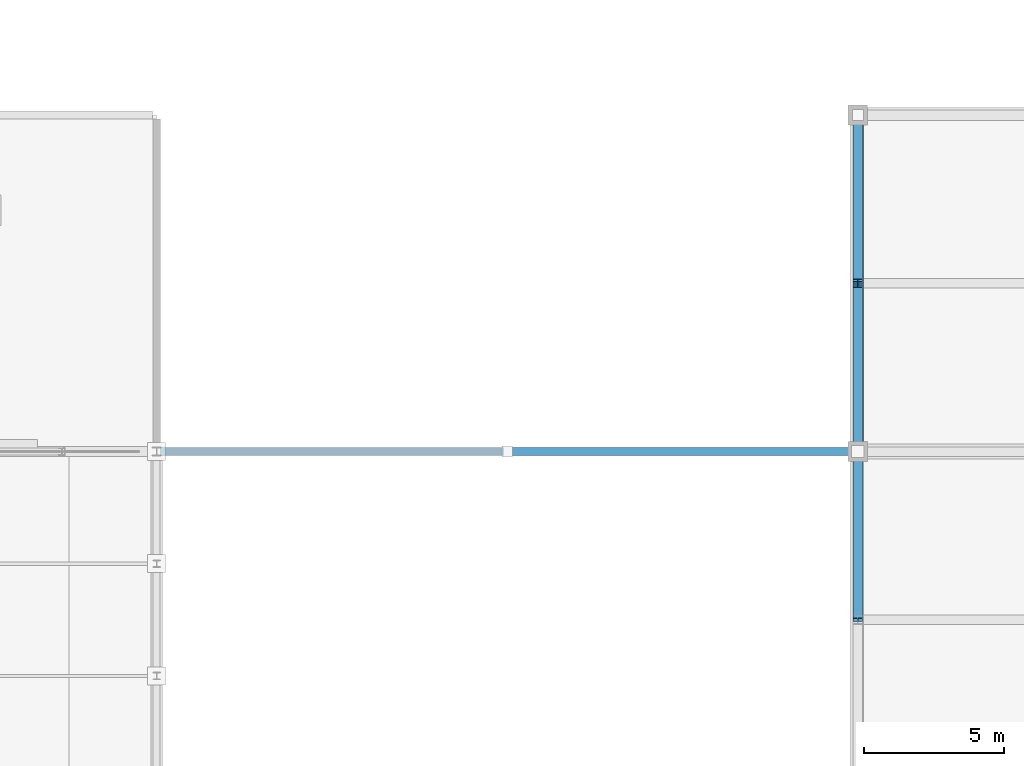
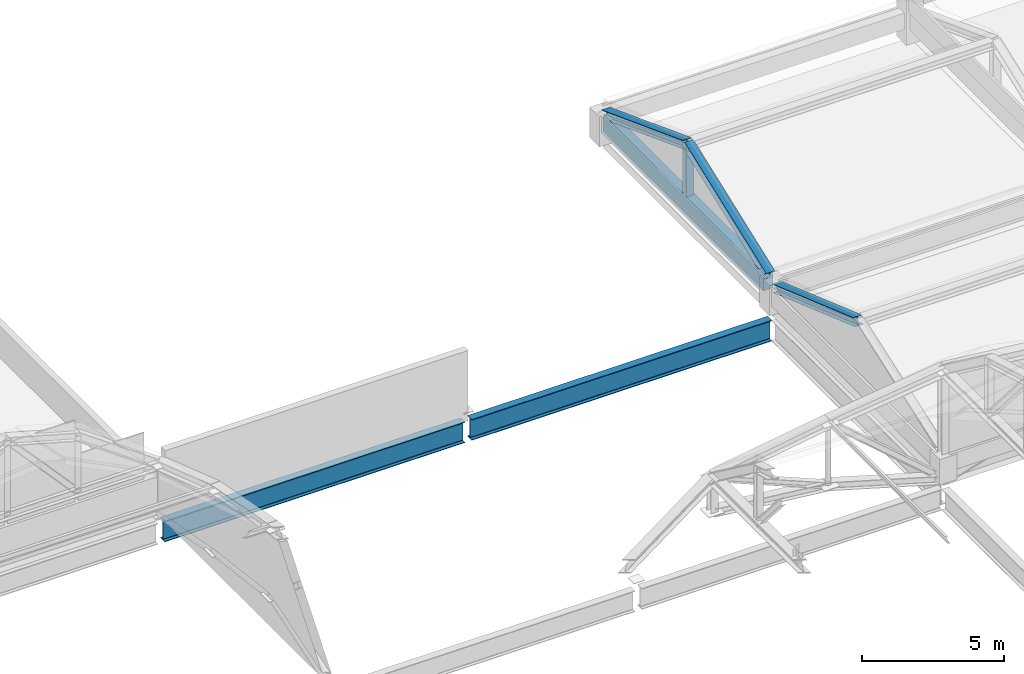
# One storey, part 86 of 117: 4 members, 3 beams.
"""IFC4 building model written with IfcOpenShell, lengths in metres."""

import ifcopenshell
import ifcopenshell.guid

model = None  # the IFC model being written
_history = None  # IfcOwnerHistory: only IFC2X3 demands one
_inside = {}  # id of a spatial element -> (the spatial element, [elements in it])
_under = {}  # id of a project, library or spatial element -> (it, [spatial elements below it])
_declared = {}  # id of a project -> (the project, [libraries it declares])
_typed = {}  # id of a type object -> (the type object, [elements of that type])
_made_of = {}  # id of a material, layer set ... -> (it, [elements and type objects made of it])


def new_model(schema):
    """Start an empty IFC model of exactly this schema.

    Asked for "IFC4X3", IfcOpenShell would pick the latest addendum, in which some entities
    have other attributes; the version numbers below select the first issue.
    IFC2X3 requires an IfcOwnerHistory on every rooted entity: one is made here for all.
    """
    global model, _history
    if schema == "IFC4X3":
        model = ifcopenshell.file(schema_version=(4, 3, 0, 0))
    else:
        model = ifcopenshell.file(schema=schema)
    _inside.clear()
    _under.clear()
    _declared.clear()
    _typed.clear()
    _made_of.clear()
    _history = None
    if model.schema == "IFC2X3":
        org = make("IfcOrganization", Name="unknown")
        user = make(
            "IfcPersonAndOrganization",
            ThePerson=make("IfcPerson", FamilyName="unknown"),
            TheOrganization=org,
        )
        app = make(
            "IfcApplication",
            ApplicationDeveloper=org,
            Version="unknown",
            ApplicationFullName="unknown",
            ApplicationIdentifier="unknown",
        )
        _history = make(
            "IfcOwnerHistory",
            OwningUser=user,
            OwningApplication=app,
            ChangeAction="ADDED",
            CreationDate=0,
        )
    return model


def make(cls, **values):
    """One entity of the class cls with the attributes given. An attribute that is None is left unset."""
    return model.create_entity(
        cls, **{name: value for name, value in values.items() if value is not None}
    )


def rooted(cls, **values):
    """An entity with a GlobalId (a new one), such as an element, a storey or a relation."""
    return make(cls, GlobalId=ifcopenshell.guid.new(), OwnerHistory=_history, **values)


def si_unit(unit_type, name, prefix=None):
    """IfcSIUnit, for example si_unit("LENGTHUNIT", "METRE", prefix="MILLI")."""
    return make("IfcSIUnit", UnitType=unit_type, Prefix=prefix, Name=name)


def assignment(units):
    """IfcUnitAssignment: the units of a project."""
    return None if units is None else make("IfcUnitAssignment", Units=units)


def point(xyz):
    """IfcCartesianPoint."""
    return None if xyz is None else make("IfcCartesianPoint", Coordinates=xyz)


def direction(xyz):
    """IfcDirection."""
    return None if xyz is None else make("IfcDirection", DirectionRatios=xyz)


def frame(location, z_axis=None, x_axis=None):
    """IfcAxis2Placement3D, a coordinate frame: its origin and axes. An axis left out is left unset."""
    return make(
        "IfcAxis2Placement3D",
        Location=point(location),
        Axis=direction(z_axis),
        RefDirection=direction(x_axis),
    )


def frame_2d(location, x_axis=None):
    """IfcAxis2Placement2D, a coordinate frame in the plane: its origin and x axis."""
    return make(
        "IfcAxis2Placement2D", Location=point(location), RefDirection=direction(x_axis)
    )


def origin():
    """The frame at (0, 0, 0) with its axes left unset."""
    return frame((0.0, 0.0, 0.0))


def origin_2d():
    """The frame at (0, 0) in the plane with its x axis left unset."""
    return frame_2d((0.0, 0.0))


def place(relative_to, where):
    """IfcLocalPlacement: puts the frame where relative to a parent placement (None: the world)."""
    return make(
        "IfcLocalPlacement", PlacementRelTo=relative_to, RelativePlacement=where
    )


def context(
    kind, dimensions, precision=None, world=None, true_north=None, identifier=None
):
    """IfcGeometricRepresentationContext, for example the 3D "Model" context."""
    return make(
        "IfcGeometricRepresentationContext",
        ContextIdentifier=identifier,
        ContextType=kind,
        CoordinateSpaceDimension=dimensions,
        Precision=precision,
        WorldCoordinateSystem=world,
        TrueNorth=true_north,
    )


def subcontext(parent, identifier, kind, view, scale=None):
    """IfcGeometricRepresentationSubContext, for example "Body" below "Model"."""
    return make(
        "IfcGeometricRepresentationSubContext",
        ContextIdentifier=identifier,
        ContextType=kind,
        ParentContext=parent,
        TargetScale=scale,
        TargetView=view,
    )


def project(units=None, contexts=None):
    """IfcProject with its units and contexts."""
    return rooted(
        "IfcProject",
        Name="project",
        RepresentationContexts=contexts,
        UnitsInContext=assignment(units),
    )


def spatial(cls, under=None, at=None, **own):
    """A site, building, storey or space (cls), placed at a placement, below another one or the project."""
    s = rooted(cls, ObjectPlacement=at, **own)
    if under is not None:
        _under.setdefault(under.id(), (under, []))[1].append(s)
    return s


def profile(cls, at=None, kind="AREA", **sizes):
    """A parametric profile (cls). Its sizes go by their IFC names, for example OverallWidth=200.0."""
    return make(cls, ProfileType=kind, Position=at, **sizes)


def rectangle(**sizes):
    """IfcRectangleProfileDef."""
    return profile("IfcRectangleProfileDef", **sizes)


def i_section(**sizes):
    """IfcIShapeProfileDef."""
    return profile("IfcIShapeProfileDef", **sizes)


def extrude(swept, where, along, depth):
    """IfcExtrudedAreaSolid: the profile swept, set in the frame where, extruded along a direction by depth."""
    return make(
        "IfcExtrudedAreaSolid",
        SweptArea=swept,
        Position=where,
        ExtrudedDirection=direction(along),
        Depth=depth,
    )


def shape(context_of_items, identifier, shape_type, items):
    """IfcShapeRepresentation: the items that make up one representation, for example the "Body"."""
    return make(
        "IfcShapeRepresentation",
        ContextOfItems=context_of_items,
        RepresentationIdentifier=identifier,
        RepresentationType=shape_type,
        Items=items,
    )


def material(Name=None, Category=None):
    """IfcMaterial."""
    return make("IfcMaterial", Name=Name, Category=Category)


def material_profile(
    of_material, cross_section, Name=None, Category=None, Priority=None
):
    """IfcMaterialProfile: a cross section and its material."""
    return make(
        "IfcMaterialProfile",
        Name=Name,
        Material=of_material,
        Profile=cross_section,
        Priority=Priority,
        Category=Category,
    )


def profile_set(profiles, Name=None, composite=None):
    """IfcMaterialProfileSet."""
    return make(
        "IfcMaterialProfileSet",
        Name=Name,
        MaterialProfiles=profiles,
        CompositeProfile=composite,
    )


def made_of(thing, what):
    """Note that an element or type object is made of a material, layer set ...; save() writes the relation."""
    if what is not None:
        _made_of.setdefault(what.id(), (what, []))[1].append(thing)
    return thing


def type_object(cls, material=None, **own):
    """A type object (cls), such as IfcWallType, which elements share."""
    return made_of(rooted(cls, **own), material)


def element(
    cls,
    number,
    at=None,
    inside=None,
    cuts=None,
    type_object=None,
    material=None,
    context=None,
    identifier="Body",
    shape_type=None,
    held_by="IfcProductDefinitionShape",
    body=None,
    shapes=None,
    **own,
):
    """One element of the class cls, such as IfcWall. Its Tag is "e" and its number.

    at: its placement. inside: the storey or other place that contains it. cuts: it is an
    opening in that element (IfcRelVoidsElement). A single representation is given by context,
    identifier, shape_type and body (its items); several are given by shapes. held_by: the class
    of the entity that holds the representations. save() writes the other relations.
    """
    e = rooted(cls, Tag="e%d" % number, ObjectPlacement=at, **own)
    if body is not None:
        shapes = [shape(context, identifier, shape_type, body)]
    if shapes is not None:
        e.Representation = make(held_by, Representations=shapes)
    if inside is not None:
        _inside.setdefault(inside.id(), (inside, []))[1].append(e)
    if cuts is not None:
        rooted(
            "IfcRelVoidsElement", RelatingBuildingElement=cuts, RelatedOpeningElement=e
        )
    if type_object is not None:
        _typed.setdefault(type_object.id(), (type_object, []))[1].append(e)
    return made_of(e, material)


def aggregate(whole, parts):
    """IfcRelAggregates: a whole, such as a stair, and the parts it consists of."""
    return rooted("IfcRelAggregates", RelatingObject=whole, RelatedObjects=parts)


def save(model, path):
    """Write the relations noted so far, then the file.

    IfcRelAggregates (storeys below a building ...), IfcRelContainedInSpatialStructure (elements
    in a storey), IfcRelDefinesByType, IfcRelAssociatesMaterial and IfcRelDeclares: one each for
    every whole, place, type object, material and project.
    """
    for whole, parts in _under.values():
        aggregate(whole, parts)
    for where, things in _inside.values():
        rooted(
            "IfcRelContainedInSpatialStructure",
            RelatedElements=things,
            RelatingStructure=where,
        )
    for kind, things in _typed.values():
        rooted("IfcRelDefinesByType", RelatedObjects=things, RelatingType=kind)
    for what, things in _made_of.values():
        rooted("IfcRelAssociatesMaterial", RelatedObjects=things, RelatingMaterial=what)
    for by, libraries in _declared.values():
        rooted("IfcRelDeclares", RelatingContext=by, RelatedDefinitions=libraries)
    model.write(path)


model = new_model("IFC4")

# Units and contexts
model_context = context("Model", 3, precision=1e-05, world=origin(), true_north=direction((0.0, 1.0)))
body_context = subcontext(model_context, "Body", "Model", "MODEL_VIEW")
ifc_project = project(units=[si_unit("LENGTHUNIT", "METRE"), si_unit("AREAUNIT", "SQUARE_METRE"), si_unit("VOLUMEUNIT", "CUBIC_METRE"), si_unit("PLANEANGLEUNIT", "RADIAN"), si_unit("MASSUNIT", "GRAM", prefix="KILO")], contexts=[model_context])

# Site, building, storey
site_placement = place(None, origin())
site = spatial("IfcSite", under=ifc_project, at=site_placement, CompositionType="ELEMENT")
building_placement = place(site_placement, origin())
building = spatial("IfcBuilding", under=site, at=building_placement, Name="Kazenohara Klinker Stadium", CompositionType="ELEMENT")
storey_placement = place(building_placement, frame((0.0, 0.0, 31.199951171875)))
storey = spatial("IfcBuildingStorey", under=building, at=storey_placement, Name="RF", CompositionType="ELEMENT", Elevation=31.199951171875)

# Beam
ifc_material_1 = material(Name="Concrete C40/50", Category="concrete")
ifc_material_profile_1 = material_profile(ifc_material_1, rectangle(XDim=0.39990234375, YDim=0.699951171875, at=origin_2d()), Name="RC-BM-400x700")
ifc_profile_set_1 = profile_set([ifc_material_profile_1], Name="Concrete C40/50")
beam_type_1 = type_object("IfcBeamType", Name="BM-RC04", PredefinedType="BEAM", material=ifc_profile_set_1)
beam_placement = place(storey_placement, frame((175.0, 144.35009765625, 0.949951171875), z_axis=(0.0, 1.0, 0.0), x_axis=(-1.0, 0.0, 0.0)))
element("IfcBeam", 1, at=beam_placement, inside=storey, type_object=beam_type_1, Name="Turret crown eave girder BG04 RF Y14-12", PredefinedType="BEAM", context=body_context, shape_type="SweptSolid", body=[
    extrude(rectangle(XDim=0.39990234375, YDim=0.699951171875, at=origin_2d()), origin(), (0.0, 0.0, 1.0), 11.2998046875),
])

# Members
ifc_material_2 = material(Name="Steel S355", Category="steel")
ifc_material_profile_2 = material_profile(ifc_material_2, i_section(OverallWidth=0.35009765625, OverallDepth=0.35009765625, WebThickness=0.011962890625, FlangeThickness=0.01904296875, FilletRadius=0.012939453125, at=origin_2d()), Name="H-350x350x12x19")
ifc_profile_set_2 = profile_set([ifc_material_profile_2], Name="Steel S355")
member_type_1 = type_object("IfcMemberType", Name="MEM-CHD02", PredefinedType="CHORD", material=ifc_profile_set_2)
for number, where, z_axis, x_axis, name in (
    (2, (175.0, 144.25, 1.280029296875), (0.0, 0.935595776827, 0.35307299866), (-1.0, 0.0, 0.0), "Crown gable rafter GT3-NW W South"),
    (3, (175.0, 155.75, 1.280029296875), (0.0, -0.935595776827, 0.35307299866), (1.0, 0.0, 0.0), "Crown gable rafter GT3-NW W North"),
):
    element("IfcMember", number, at=place(storey_placement, frame(where, z_axis=z_axis, x_axis=x_axis)), inside=storey, type_object=member_type_1, Name=name, PredefinedType="CHORD", context=body_context, shape_type="SweptSolid", body=[
        extrude(i_section(OverallWidth=0.35009765625, OverallDepth=0.35009765625, WebThickness=0.011962890625, FlangeThickness=0.01904296875, FilletRadius=0.012939453125, at=origin_2d()), origin(), (0.0, 0.0, 1.0), 6.145751953125),
    ])
member_1_placement = place(storey_placement, frame((175.0, 143.75, 1.080078125), z_axis=(0.0, -0.943473005792, 0.331449373723), x_axis=(1.0, 0.0, 0.0)))
element("IfcMember", 4, at=member_1_placement, inside=storey, type_object=member_type_1, Name="Crown gable rafter GT3-SW W North", PredefinedType="CHORD", context=body_context, shape_type="SweptSolid", body=[
    extrude(i_section(OverallWidth=0.35009765625, OverallDepth=0.35009765625, WebThickness=0.011962890625, FlangeThickness=0.01904296875, FilletRadius=0.012939453125, at=origin_2d()), origin(), (0.0, 0.0, 1.0), 6.094482421875),
])
ifc_material_profile_3 = material_profile(ifc_material_2, i_section(OverallWidth=0.300048828125, OverallDepth=0.300048828125, WebThickness=0.010009765625, FlangeThickness=0.014892578125, FilletRadius=0.012939453125, at=origin_2d()), Name="H-300x300x10x15")
ifc_profile_set_3 = profile_set([ifc_material_profile_3], Name="Steel S355")
member_type_2 = type_object("IfcMemberType", Name="MEM-STR01", PredefinedType="STRUT", material=ifc_profile_set_3)
member_2_placement = place(storey_placement, frame((175.0, 150.0, 1.280029296875), z_axis=(0.0, 0.0, 1.0), x_axis=(1.0, 0.0, 0.0)))
element("IfcMember", 5, at=member_2_placement, inside=storey, type_object=member_type_2, Name="Crown gable king-post GT3-NW W", PredefinedType="STRUT", context=body_context, shape_type="SweptSolid", body=[
    extrude(i_section(OverallWidth=0.300048828125, OverallDepth=0.300048828125, WebThickness=0.010009765625, FlangeThickness=0.014892578125, FilletRadius=0.012939453125, at=origin_2d()), origin(), (0.0, 0.0, 1.0), 2.169921875),
])

# Beams
ifc_material_profile_4 = material_profile(ifc_material_2, i_section(OverallWidth=0.300048828125, OverallDepth=0.89990234375, WebThickness=0.01611328125, FlangeThickness=0.028076171875, FilletRadius=0.02197265625, at=origin_2d()), Name="H-900x300x16x28")
ifc_profile_set_4 = profile_set([ifc_material_profile_4], Name="Steel S355")
beam_type_2 = type_object("IfcBeamType", Name="RING-RB01", PredefinedType="USERDEFINED", material=ifc_profile_set_4)
for number, where, z_axis, x_axis, name in (
    (6, (150.139892578125, 144.0, -0.820068359375), (1.0, 0.0, 0.0), (0.0, 1.0, 0.0), "Roof ring beam RB01 N-OUT 13-14"),
    (7, (162.639892578125, 144.0, -0.820068359375), (1.0, 0.0, 0.0), (0.0, 1.0, 0.0), "Roof ring beam RB01 N-OUT 14-15"),
):
    element("IfcBeam", number, at=place(storey_placement, frame(where, z_axis=z_axis, x_axis=x_axis)), inside=storey, type_object=beam_type_2, Name=name, ObjectType="RING BEAM", PredefinedType="USERDEFINED", context=body_context, shape_type="SweptSolid", body=[
        extrude(i_section(OverallWidth=0.300048828125, OverallDepth=0.89990234375, WebThickness=0.01611328125, FlangeThickness=0.028076171875, FilletRadius=0.02197265625, at=origin_2d()), origin(), (0.0, 0.0, 1.0), 12.22021484375),
    ])

save(model, "model.ifc")
